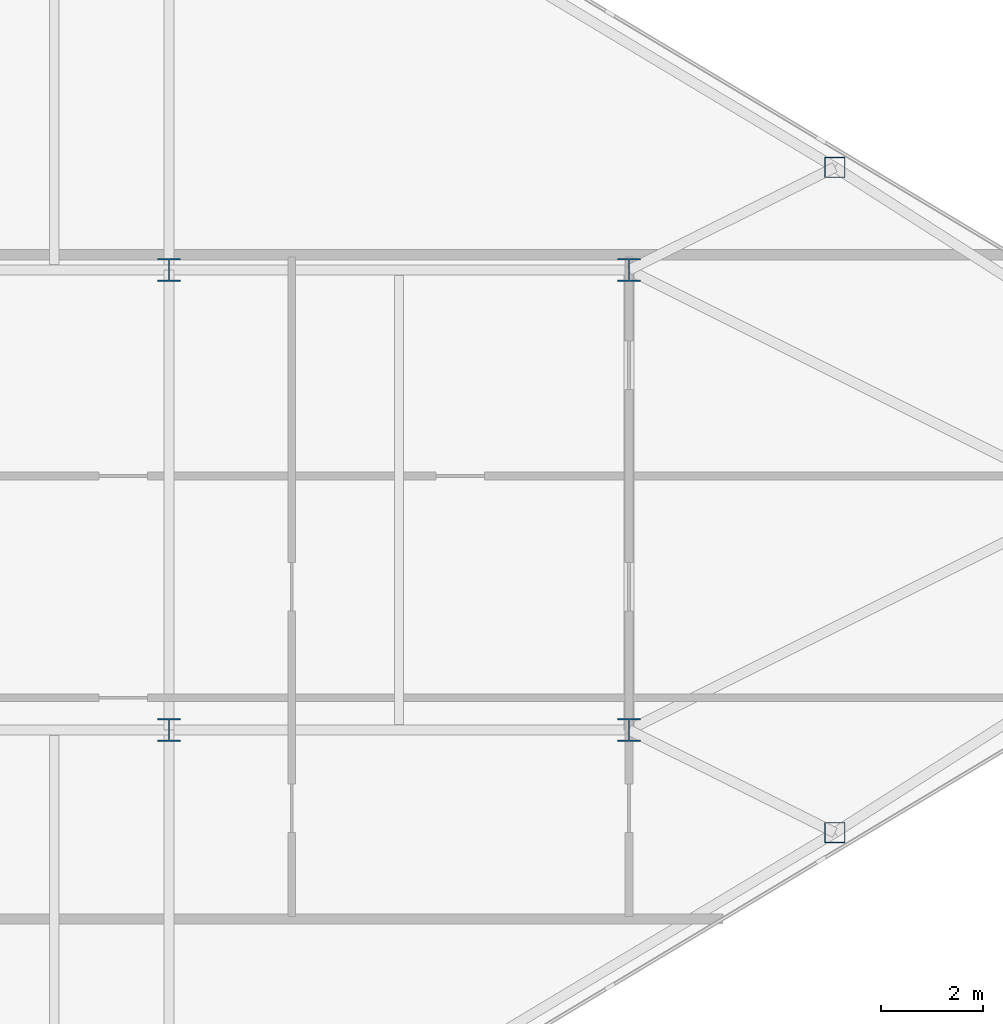
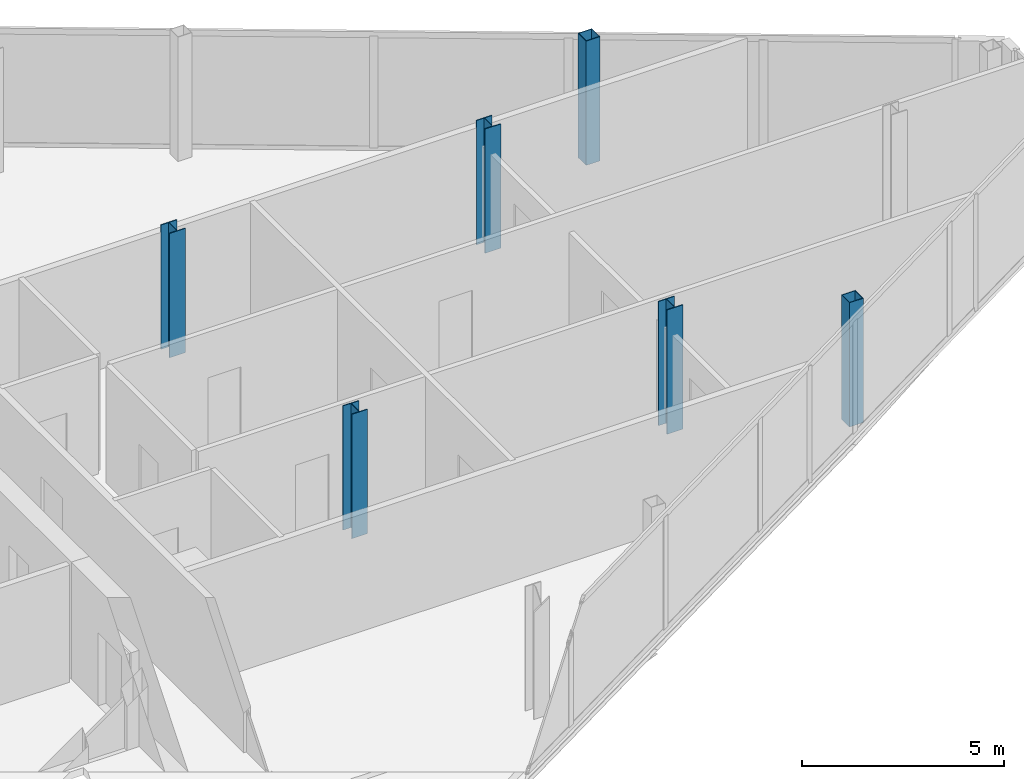
# One storey, part 5 of 29: 6 columns.
"""IFC4 building model written with IfcOpenShell, lengths in metres."""

from ifc_helpers import new_model, si_unit, direction, frame, origin, origin_2d, place, context, subcontext, project, spatial, hollow_rectangle, i_section, extrude, source, transform, mapped, material, material_profile, profile_set, type_object, type_shapes, element, save


model = new_model("IFC4")

# Units and contexts
model_context = context("Model", 3, precision=1e-05, world=origin(), true_north=direction((0.0, 1.0)))
body_context = subcontext(model_context, "Body", "Model", "MODEL_VIEW")
ifc_project = project(units=[si_unit("LENGTHUNIT", "METRE"), si_unit("AREAUNIT", "SQUARE_METRE"), si_unit("VOLUMEUNIT", "CUBIC_METRE"), si_unit("PLANEANGLEUNIT", "RADIAN"), si_unit("MASSUNIT", "GRAM", prefix="KILO")], contexts=[model_context])

# Site, building, storey
site_placement = place(None, origin())
site = spatial("IfcSite", under=ifc_project, at=site_placement, CompositionType="ELEMENT")
building_placement = place(site_placement, origin())
building = spatial("IfcBuilding", under=site, at=building_placement, Name="Seokmaru Belvedere", CompositionType="ELEMENT")
storey_placement = place(building_placement, frame((0.0, 0.0, 246.89990234375)))
storey = spatial("IfcBuildingStorey", under=building, at=storey_placement, Name="L65", CompositionType="ELEMENT", Elevation=246.89990234375)

# Columns
ifc_material = material(Name="Steel SM355 (355 MPa)", Category="steel")
ifc_material_profile_1 = material_profile(ifc_material, i_section(OverallWidth=0.449951171875, OverallDepth=0.449951171875, WebThickness=0.01611328125, FlangeThickness=0.02490234375, at=origin_2d()), Name="H-450x450x16x25")
ifc_profile_set_1 = profile_set([ifc_material_profile_1], Name="Steel SM355 (355 MPa)")
column_type_1 = type_object("IfcColumnType", Name="Sky-Gate Column H-450", PredefinedType="COLUMN", material=ifc_profile_set_1)
shared_shape_1 = source(origin(), body_context, "Body", "SweptSolid", [
    extrude(i_section(OverallWidth=0.449951171875, OverallDepth=0.449951171875, WebThickness=0.01611328125, FlangeThickness=0.02490234375, at=origin_2d()), origin(), (0.0, 0.0, 1.0), 3.75),
])
type_shapes(column_type_1, [shared_shape_1])
for number, where, z_axis, x_axis, name in (
    (1, (45.5, -4.5, 0.0), (0.0, 0.0, 1.0), (1.0, 0.0, 0.0), "L65 Column EG5_2"),
    (2, (45.5, 4.5, 0.0), (0.0, 0.0, 1.0), (1.0, 0.0, 0.0), "L65 Column EG5_3"),
    (3, (54.5, -4.5, 0.0), (0.0, 0.0, 1.0), (1.0, 0.0, 0.0), "L65 Column EG4P_1"),
    (4, (54.5, 4.5, 0.0), (0.0, 0.0, 1.0), (1.0, 0.0, 0.0), "L65 Column EG4P_2"),
):
    element("IfcColumn", number, at=place(storey_placement, frame(where, z_axis=z_axis, x_axis=x_axis)), inside=storey, type_object=column_type_1, Name=name, PredefinedType="COLUMN", context=body_context, shape_type="MappedRepresentation", body=[
        mapped(shared_shape_1, transform((0.0, 0.0, 0.0), scale=1.0)),
    ])
ifc_material_profile_2 = material_profile(ifc_material, hollow_rectangle(XDim=0.39990234375, YDim=0.39990234375, WallThickness=0.01611328125, at=origin_2d()), Name="HSS-400x400x16")
ifc_profile_set_2 = profile_set([ifc_material_profile_2], Name="Steel SM355 (355 MPa)")
column_type_2 = type_object("IfcColumnType", Name="Perimeter Facet Column HSS-400", PredefinedType="COLUMN", material=ifc_profile_set_2)
shared_shape_2 = source(origin(), body_context, "Body", "SweptSolid", [
    extrude(hollow_rectangle(XDim=0.39990234375, YDim=0.39990234375, WallThickness=0.01611328125, at=origin_2d()), origin(), (0.0, 0.0, 1.0), 3.75),
])
type_shapes(column_type_2, [shared_shape_2])
for number, where, z_axis, x_axis, name in (
    (5, (58.530029296875, -6.5087890625, 0.0), (0.0, 0.0, 1.0), (1.0, 0.0, 0.0), "L65 Column EFLK_S3"),
    (6, (58.530029296875, 6.5087890625, 0.0), (0.0, 0.0, 1.0), (1.0, 0.0, 0.0), "L65 Column EFLK_N3"),
):
    element("IfcColumn", number, at=place(storey_placement, frame(where, z_axis=z_axis, x_axis=x_axis)), inside=storey, type_object=column_type_2, Name=name, PredefinedType="COLUMN", context=body_context, shape_type="MappedRepresentation", body=[
        mapped(shared_shape_2, transform((0.0, 0.0, 0.0), scale=1.0)),
    ])

save(model, "model.ifc")
